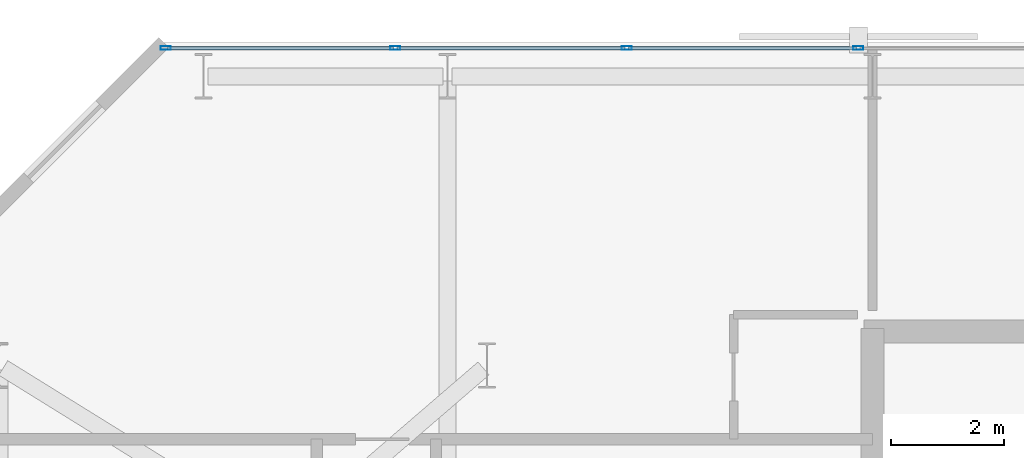
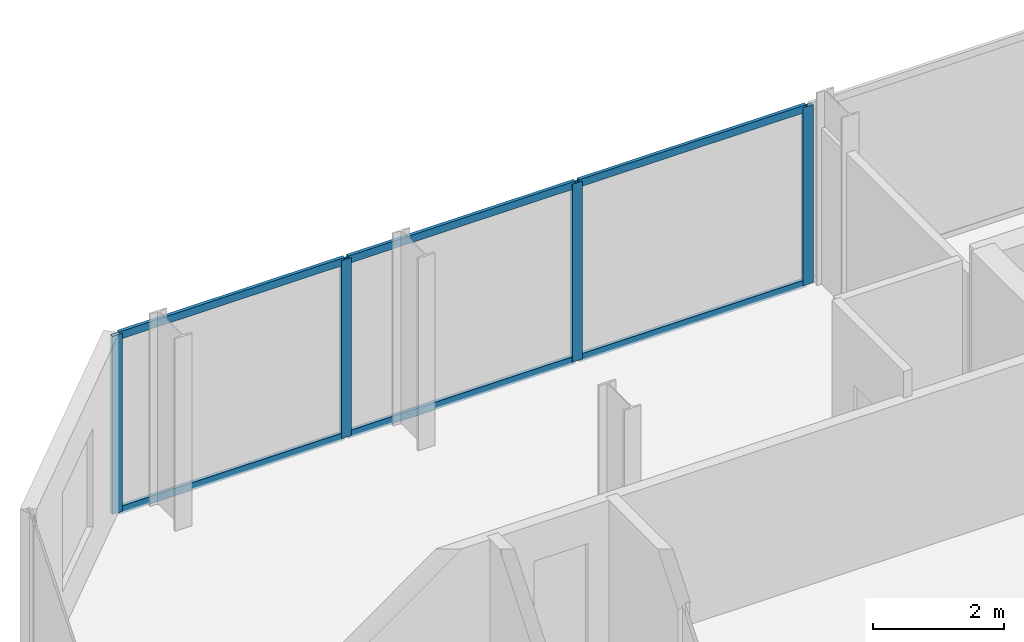
# One storey, part 21 of 32: 10 members, 1 element without a shape of its own.
"""IFC4 building model written with IfcOpenShell, lengths in metres."""

from ifc_helpers import new_model, si_unit, direction, frame, origin, origin_2d, place, context, subcontext, project, spatial, hollow_rectangle, extrude, material, layer, layer_set, material_profile, profile_set, type_object, element, aggregate, save


model = new_model("IFC4")

# Units and contexts
model_context = context("Model", 3, precision=1e-05, world=origin(), true_north=direction((0.0, 1.0)))
body_context = subcontext(model_context, "Body", "Model", "MODEL_VIEW")
ifc_project = project(units=[si_unit("LENGTHUNIT", "METRE"), si_unit("AREAUNIT", "SQUARE_METRE"), si_unit("VOLUMEUNIT", "CUBIC_METRE"), si_unit("PLANEANGLEUNIT", "RADIAN"), si_unit("MASSUNIT", "GRAM", prefix="KILO")], contexts=[model_context])

# Site, building, storey
site_placement = place(None, origin())
site = spatial("IfcSite", under=ifc_project, at=site_placement, CompositionType="ELEMENT")
building_placement = place(site_placement, origin())
building = spatial("IfcBuilding", under=site, at=building_placement, Name="Catumbela Crestline Tower", CompositionType="ELEMENT")
storey_placement = place(building_placement, frame((0.0, 0.0, 69.0)))
storey = spatial("IfcBuildingStorey", under=building, at=storey_placement, Name="L17", CompositionType="ELEMENT", Elevation=69.0)

# Curtain wall, members
ifc_material = material(Name="Aluminium alloy AW-6060-T66", Category="aluminium")
ifc_layer = layer(ifc_material, 0.18, Name="Aluminium alloy AW-6060-T66")
ifc_layer_set = layer_set([ifc_layer], Name="Aluminium alloy AW-6060-T66")
curtain_wall_type = type_object("IfcCurtainWallType", Name="CWU-Z1", PredefinedType="USERDEFINED", material=ifc_layer_set)
curtain_wall_placement = place(storey_placement, origin())
curtain_wall = element("IfcCurtainWall", 1, at=curtain_wall_placement, inside=storey, type_object=curtain_wall_type, Name="L17 Unitised Curtain Wall CW-L17-E7S1", ObjectType="UNITISED", PredefinedType="USERDEFINED")
ifc_material_profile_1 = material_profile(ifc_material, hollow_rectangle(XDim=0.065, YDim=0.18, WallThickness=0.004, at=origin_2d()), Name="ALU 180x65x4")
ifc_profile_set_1 = profile_set([ifc_material_profile_1], Name="Aluminium alloy AW-6060-T66")
member_type_1 = type_object("IfcMemberType", Name="MUL-180X65", PredefinedType="MULLION", material=ifc_profile_set_1)
member_1_placement = place(storey_placement, frame((15.75, 47.9, 0.0), z_axis=(0.0, 0.0, 1.0), x_axis=(0.0, -1.0, 0.0)))
member_1 = element("IfcMember", 2, at=member_1_placement, type_object=member_type_1, Name="CWU-Z1 mullion 10", PredefinedType="MULLION", context=body_context, shape_type="SweptSolid", body=[
    extrude(hollow_rectangle(XDim=0.065, YDim=0.18, WallThickness=0.004, at=origin_2d()), origin(), (0.0, 0.0, 1.0), 3.33),
])
member_2_placement = place(storey_placement, frame((11.6667, 47.9, 0.0), z_axis=(0.0, 0.0, 1.0), x_axis=(0.0, -1.0, 0.0)))
member_2 = element("IfcMember", 3, at=member_2_placement, type_object=member_type_1, Name="CWU-Z1 mullion 11", PredefinedType="MULLION", context=body_context, shape_type="SweptSolid", body=[
    extrude(hollow_rectangle(XDim=0.065, YDim=0.18, WallThickness=0.004, at=origin_2d()), origin(), (0.0, 0.0, 1.0), 3.33),
])
member_3_placement = place(storey_placement, frame((7.5833, 47.9, 0.0), z_axis=(0.0, 0.0, 1.0), x_axis=(0.0, -1.0, 0.0)))
member_3 = element("IfcMember", 4, at=member_3_placement, type_object=member_type_1, Name="CWU-Z1 mullion 12", PredefinedType="MULLION", context=body_context, shape_type="SweptSolid", body=[
    extrude(hollow_rectangle(XDim=0.065, YDim=0.18, WallThickness=0.004, at=origin_2d()), origin(), (0.0, 0.0, 1.0), 3.33),
])
member_4_placement = place(storey_placement, frame((3.5325, 47.9, 0.0), z_axis=(0.0, 0.0, 1.0), x_axis=(0.0, -1.0, 0.0)))
member_4 = element("IfcMember", 5, at=member_4_placement, type_object=member_type_1, Name="CWU-Z1 mullion 13", PredefinedType="MULLION", context=body_context, shape_type="SweptSolid", body=[
    extrude(hollow_rectangle(XDim=0.065, YDim=0.18, WallThickness=0.004, at=origin_2d()), origin(), (0.0, 0.0, 1.0), 3.33),
])
ifc_material_profile_2 = material_profile(ifc_material, hollow_rectangle(XDim=0.06, YDim=0.14, WallThickness=0.004, at=origin_2d()), Name="ALU 140x60x4")
ifc_profile_set_2 = profile_set([ifc_material_profile_2], Name="Aluminium alloy AW-6060-T66")
member_type_2 = type_object("IfcMemberType", Name="TRN-140X60", PredefinedType="USERDEFINED", material=ifc_profile_set_2)
member_5_placement = place(storey_placement, frame((15.7175, 47.9, 0.03), z_axis=(-1.0, 0.0, 0.0), x_axis=(0.0, -1.0, 0.0)))
member_5 = element("IfcMember", 6, at=member_5_placement, type_object=member_type_2, Name="CWU-Z1 transom 10.1", ObjectType="TRANSOM", PredefinedType="USERDEFINED", context=body_context, shape_type="SweptSolid", body=[
    extrude(hollow_rectangle(XDim=0.06, YDim=0.14, WallThickness=0.004, at=origin_2d()), origin(), (0.0, 0.0, 1.0), 4.0183),
])
member_6_placement = place(storey_placement, frame((15.7175, 47.9, 3.3), z_axis=(-1.0, 0.0, 0.0), x_axis=(0.0, -1.0, 0.0)))
member_6 = element("IfcMember", 7, at=member_6_placement, type_object=member_type_2, Name="CWU-Z1 transom 10.2", ObjectType="TRANSOM", PredefinedType="USERDEFINED", context=body_context, shape_type="SweptSolid", body=[
    extrude(hollow_rectangle(XDim=0.06, YDim=0.14, WallThickness=0.004, at=origin_2d()), origin(), (0.0, 0.0, 1.0), 4.0183),
])
member_7_placement = place(storey_placement, frame((11.6342, 47.9, 0.03), z_axis=(-1.0, 0.0, 0.0), x_axis=(0.0, -1.0, 0.0)))
member_7 = element("IfcMember", 8, at=member_7_placement, type_object=member_type_2, Name="CWU-Z1 transom 11.1", ObjectType="TRANSOM", PredefinedType="USERDEFINED", context=body_context, shape_type="SweptSolid", body=[
    extrude(hollow_rectangle(XDim=0.06, YDim=0.14, WallThickness=0.004, at=origin_2d()), origin(), (0.0, 0.0, 1.0), 4.0184),
])
member_8_placement = place(storey_placement, frame((11.6342, 47.9, 3.3), z_axis=(-1.0, 0.0, 0.0), x_axis=(0.0, -1.0, 0.0)))
member_8 = element("IfcMember", 9, at=member_8_placement, type_object=member_type_2, Name="CWU-Z1 transom 11.2", ObjectType="TRANSOM", PredefinedType="USERDEFINED", context=body_context, shape_type="SweptSolid", body=[
    extrude(hollow_rectangle(XDim=0.06, YDim=0.14, WallThickness=0.004, at=origin_2d()), origin(), (0.0, 0.0, 1.0), 4.0184),
])
member_9_placement = place(storey_placement, frame((7.5508, 47.9, 0.03), z_axis=(-1.0, 0.0, 0.0), x_axis=(0.0, -1.0, 0.0)))
member_9 = element("IfcMember", 10, at=member_9_placement, type_object=member_type_2, Name="CWU-Z1 transom 12.1", ObjectType="TRANSOM", PredefinedType="USERDEFINED", context=body_context, shape_type="SweptSolid", body=[
    extrude(hollow_rectangle(XDim=0.06, YDim=0.14, WallThickness=0.004, at=origin_2d()), origin(), (0.0, 0.0, 1.0), 3.9858),
])
member_10_placement = place(storey_placement, frame((7.5508, 47.9, 3.3), z_axis=(-1.0, 0.0, 0.0), x_axis=(0.0, -1.0, 0.0)))
member_10 = element("IfcMember", 11, at=member_10_placement, type_object=member_type_2, Name="CWU-Z1 transom 12.2", ObjectType="TRANSOM", PredefinedType="USERDEFINED", context=body_context, shape_type="SweptSolid", body=[
    extrude(hollow_rectangle(XDim=0.06, YDim=0.14, WallThickness=0.004, at=origin_2d()), origin(), (0.0, 0.0, 1.0), 3.9858),
])
aggregate(curtain_wall, [member_1, member_2, member_3, member_4, member_5, member_6, member_7, member_8, member_9, member_10])

save(model, "model.ifc")
